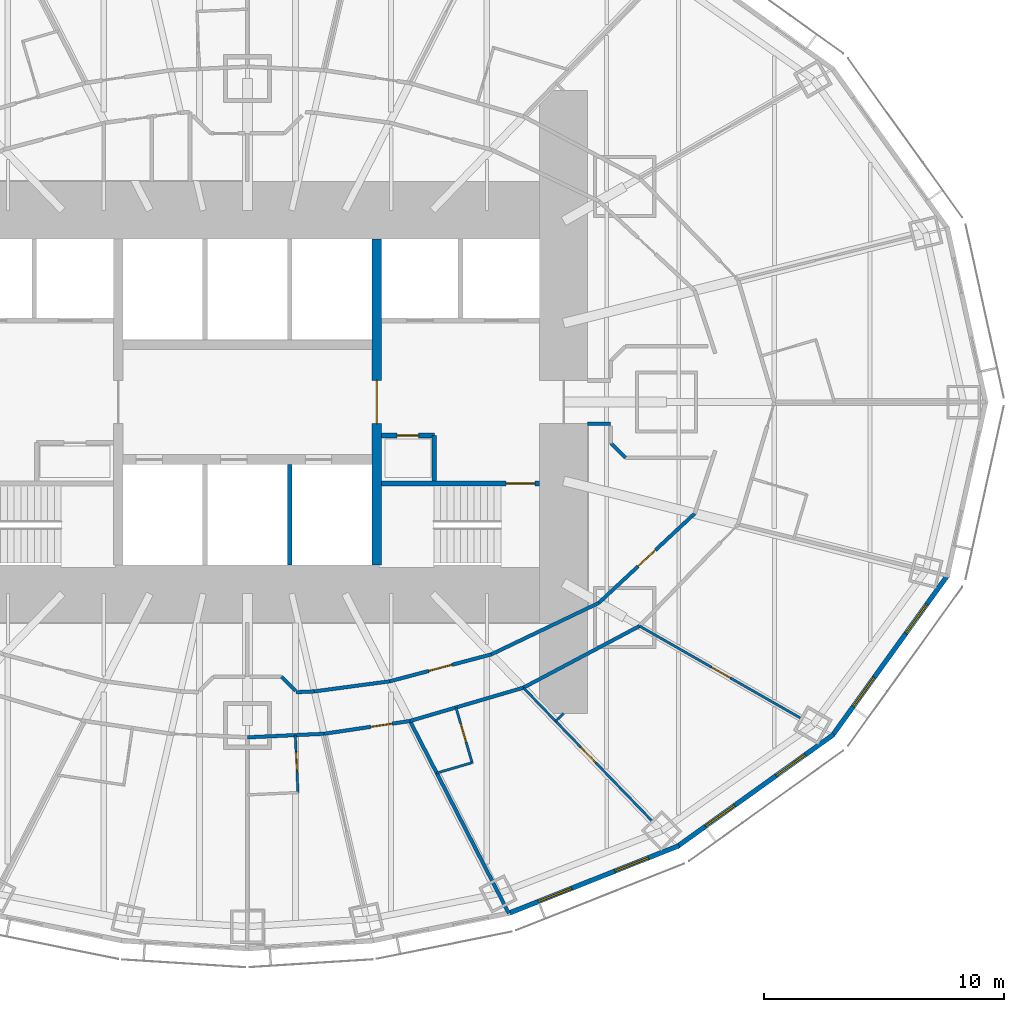
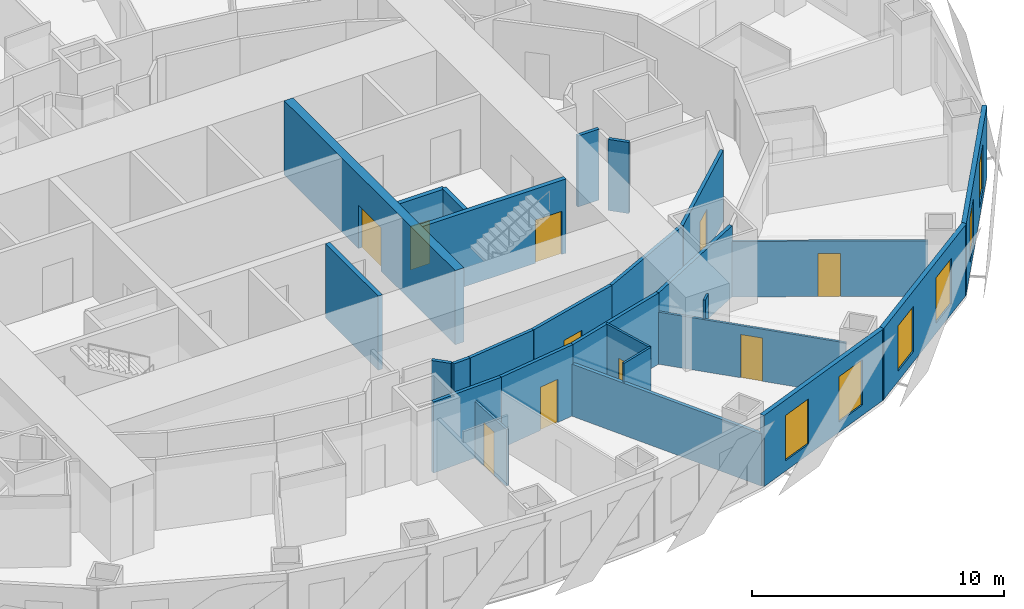
# One storey, part 7 of 15: 27 walls, 10 doors, 6 windows, 16 openings.
"""IFC4 building model written with IfcOpenShell, lengths in metres."""

from ifc_helpers import new_model, si_unit, direction, frame, frame_2d, origin, place, context, subcontext, project, spatial, rectangle, extrude, material, layer, layer_set, type_object, element, fill, save


model = new_model("IFC4")

# Units and contexts
model_context = context("Model", 3, precision=1e-05, world=origin(), true_north=direction((0.0, 1.0)))
body_context = subcontext(model_context, "Body", "Model", "MODEL_VIEW")
ifc_project = project(units=[si_unit("LENGTHUNIT", "METRE"), si_unit("AREAUNIT", "SQUARE_METRE"), si_unit("VOLUMEUNIT", "CUBIC_METRE"), si_unit("PLANEANGLEUNIT", "RADIAN"), si_unit("MASSUNIT", "GRAM", prefix="KILO")], contexts=[model_context])

# Site, building, storey
site_placement = place(None, origin())
site = spatial("IfcSite", under=ifc_project, at=site_placement, CompositionType="ELEMENT")
building_placement = place(site_placement, origin())
building = spatial("IfcBuilding", under=site, at=building_placement, Name="Lantaw Convention Tower", CompositionType="ELEMENT")
storey_placement = place(building_placement, frame((0.0, 0.0, 76.60009765625)))
storey = spatial("IfcBuildingStorey", under=building, at=storey_placement, Name="L17", CompositionType="ELEMENT", Elevation=76.60009765625)

# Wall, opening, door
ifc_material_1 = material(Name="Moisture resistant gypsum board on steel studs", Category="steel")
ifc_layer_1 = layer(ifc_material_1, 0.10009765625)
ifc_layer_set_1 = layer_set([ifc_layer_1], Name="Bathroom wall 100")
wall_type_1 = type_object("IfcWallType", Name="Bathroom wall 100", PredefinedType="PARTITIONING", material=ifc_layer_set_1)
wall_1_placement = place(storey_placement, frame((1.997802734375, -13.9072265625, 0.0), z_axis=(0.0, 0.0, 1.0), x_axis=(0.046492089498, -0.998918658157, 0.0)))
wall_1 = element("IfcWall", 1, at=wall_1_placement, inside=storey, type_object=wall_type_1, Name="Bathroom wall 100", PredefinedType="PARTITIONING", context=body_context, shape_type="SweptSolid", body=[
    extrude(rectangle(XDim=2.39990234375, YDim=0.10009765625, at=frame_2d((1.199951171875, 0.0))), origin(), (0.0, 0.0, 1.0), 2.748779296875),
])
opening_1_placement = place(wall_1_placement, frame((0.699951171875, 0.0, 0.0)))
opening_1 = element("IfcOpeningElement", 2, at=opening_1_placement, cuts=wall_1, Name="Opening L17.47", PredefinedType="OPENING", context=body_context, shape_type="SweptSolid", body=[
    extrude(rectangle(XDim=0.800048828125, YDim=2.10009765625, at=frame_2d((0.39990234375, 1.050048828125))), frame((0.0, 0.06005859375, 0.0), z_axis=(0.0, -1.0, 0.0), x_axis=(1.0, 0.0, 0.0)), (0.0, 0.0, 1.0), 0.1201171875),
])
ifc_material_2 = material(Name="Timber", Category="wood")
door_type_1 = type_object("IfcDoorType", Name="Bathroom door 800", OperationType="SINGLE_SWING_LEFT", PredefinedType="DOOR", material=ifc_material_2)
door_1_placement = place(opening_1_placement, origin())
door_1 = element("IfcDoor", 3, at=door_1_placement, inside=storey, type_object=door_type_1, Name="Bathroom door", OperationType="SINGLE_SWING_LEFT", OverallHeight=2.10009765625, OverallWidth=0.800048828125, PredefinedType="DOOR", context=body_context, shape_type="SweptSolid", body=[
    extrude(rectangle(XDim=0.800048828125, YDim=2.10009765625, at=frame_2d((0.39990234375, 1.050048828125))), frame((0.0, 0.02490234375, 0.0), z_axis=(0.0, -1.0, 0.0), x_axis=(1.0, 0.0, 0.0)), (0.0, 0.0, 1.0), 0.050048828125),
])
fill(opening_1, door_1)

wall_2_placement = place(storey_placement, frame((8.70458984375, -12.75390625, 0.0), z_axis=(0.0, 0.0, 1.0), x_axis=(0.281659633817, -0.959514382736, 0.0)))
wall_2 = element("IfcWall", 4, at=wall_2_placement, inside=storey, type_object=wall_type_1, Name="Bathroom wall 100", PredefinedType="PARTITIONING", context=body_context, shape_type="SweptSolid", body=[
    extrude(rectangle(XDim=2.400146484375, YDim=0.10009765625, at=frame_2d((1.2001953125, 0.0))), origin(), (0.0, 0.0, 1.0), 3.449951171875),
])
opening_2_placement = place(wall_2_placement, frame((0.699951171875, 0.0, 0.0)))
opening_2 = element("IfcOpeningElement", 5, at=opening_2_placement, cuts=wall_2, Name="Opening L17.50", PredefinedType="OPENING", context=body_context, shape_type="SweptSolid", body=[
    extrude(rectangle(XDim=0.800048828125, YDim=2.10009765625, at=frame_2d((0.39990234375, 1.050048828125))), frame((0.0, 0.06005859375, 0.0), z_axis=(0.0, -1.0, 0.0), x_axis=(1.0, 0.0, 0.0)), (0.0, 0.0, 1.0), 0.1201171875),
])
door_2_placement = place(opening_2_placement, origin())
door_2 = element("IfcDoor", 6, at=door_2_placement, inside=storey, type_object=door_type_1, Name="Bathroom door", OperationType="SINGLE_SWING_LEFT", OverallHeight=2.10009765625, OverallWidth=0.800048828125, PredefinedType="DOOR", context=body_context, shape_type="SweptSolid", body=[
    extrude(rectangle(XDim=0.800048828125, YDim=2.10009765625, at=frame_2d((0.39990234375, 1.050048828125))), frame((0.0, 0.02490234375, 0.0), z_axis=(0.0, -1.0, 0.0), x_axis=(1.0, 0.0, 0.0)), (0.0, 0.0, 1.0), 0.050048828125),
])
fill(opening_2, door_2)

# Wall
wall_3_placement = place(storey_placement, frame((9.380615234375, -15.056884765625, 0.0), z_axis=(0.0, 0.0, 1.0), x_axis=(-0.959518451093, -0.281645773999, 0.0)))
element("IfcWall", 7, at=wall_3_placement, inside=storey, type_object=wall_type_1, Name="Bathroom wall 100", PredefinedType="PARTITIONING", context=body_context, shape_type="SweptSolid", body=[
    extrude(rectangle(XDim=1.549072265625, YDim=0.10009765625, at=frame_2d((0.7744140625, 0.0))), origin(), (0.0, 0.0, 1.0), 3.449951171875),
])

# Wall, opening, door
ifc_material_3 = material(Name="Concrete C60/75", Category="concrete")
ifc_layer_2 = layer(ifc_material_3, 0.199951171875)
ifc_layer_set_2 = layer_set([ifc_layer_2], Name="Core wall 200")
wall_type_2 = type_object("IfcWallType", Name="Core wall 200", PredefinedType="SHEAR", material=ifc_layer_set_2)
wall_4_placement = place(storey_placement, frame((5.60009765625, -3.39990234375, 0.0), z_axis=(0.0, 0.0, 1.0), x_axis=(1.0, 0.0, 0.0)))
wall_4 = element("IfcWall", 8, at=wall_4_placement, inside=storey, type_object=wall_type_2, Name="Core wall ES", PredefinedType="SHEAR", context=body_context, shape_type="SweptSolid", body=[
    extrude(rectangle(XDim=6.599853515625, YDim=0.199951171875, at=frame_2d((3.2998046875, 0.0))), origin(), (0.0, 0.0, 1.0), 3.599853515625),
])
opening_3_placement = place(wall_4_placement, frame((5.199951171875, 0.0, 0.0)))
opening_3 = element("IfcOpeningElement", 9, at=opening_3_placement, cuts=wall_4, Name="Opening L17.05", PredefinedType="OPENING", context=body_context, shape_type="SweptSolid", body=[
    extrude(rectangle(XDim=1.199951171875, YDim=2.10009765625, at=frame_2d((0.60009765625, 1.050048828125))), frame((0.0, 0.10986328125, 0.0), z_axis=(0.0, -1.0, 0.0), x_axis=(1.0, 0.0, 0.0)), (0.0, 0.0, 1.0), 0.219970703125),
])
ifc_material_4 = material(Name="Steel, fire rated", Category="steel")
door_type_2 = type_object("IfcDoorType", Name="Stair door FD90", OperationType="SINGLE_SWING_RIGHT", PredefinedType="DOOR", material=ifc_material_4)
door_3_placement = place(opening_3_placement, origin())
door_3 = element("IfcDoor", 10, at=door_3_placement, inside=storey, type_object=door_type_2, Name="Exit stair door", OperationType="SINGLE_SWING_RIGHT", OverallHeight=2.10009765625, OverallWidth=1.199951171875, PredefinedType="DOOR", context=body_context, shape_type="SweptSolid", body=[
    extrude(rectangle(XDim=1.199951171875, YDim=2.10009765625, at=frame_2d((0.60009765625, 1.050048828125))), frame((0.0, 0.02490234375, 0.0), z_axis=(0.0, -1.0, 0.0), x_axis=(1.0, 0.0, 0.0)), (0.0, 0.0, 1.0), 0.050048828125),
])
fill(opening_3, door_3)

ifc_layer_3 = layer(ifc_material_3, 0.39990234375)
ifc_layer_set_3 = layer_set([ifc_layer_3], Name="Core wall 400")
wall_type_3 = type_object("IfcWallType", Name="Core wall 400", PredefinedType="SHEAR", material=ifc_layer_set_3)
wall_5_placement = place(storey_placement, frame((5.39990234375, -6.800048828125, 0.0), z_axis=(0.0, 0.0, 1.0), x_axis=(0.0, 1.0, 0.0)))
wall_5 = element("IfcWall", 11, at=wall_5_placement, inside=storey, type_object=wall_type_3, Name="Core wall XE", PredefinedType="SHEAR", context=body_context, shape_type="SweptSolid", body=[
    extrude(rectangle(XDim=13.60009765625, YDim=0.39990234375, at=frame_2d((6.800048828125, 0.0))), origin(), (0.0, 0.0, 1.0), 3.599853515625),
])
opening_4_placement = place(wall_5_placement, frame((5.89990234375, 0.0, 0.0)))
opening_4 = element("IfcOpeningElement", 12, at=opening_4_placement, cuts=wall_5, Name="Opening L17.03", PredefinedType="OPENING", context=body_context, shape_type="SweptSolid", body=[
    extrude(rectangle(XDim=1.800048828125, YDim=2.10009765625, at=frame_2d((0.89990234375, 1.050048828125))), frame((0.0, 0.2099609375, 0.0), z_axis=(0.0, -1.0, 0.0), x_axis=(1.0, 0.0, 0.0)), (0.0, 0.0, 1.0), 0.419921875),
])
door_type_3 = type_object("IfcDoorType", Name="Lobby double door FD90", OperationType="DOUBLE_DOOR_DOUBLE_SWING", PredefinedType="DOOR", material=ifc_material_4)
door_4_placement = place(opening_4_placement, origin())
door_4 = element("IfcDoor", 13, at=door_4_placement, inside=storey, type_object=door_type_3, Name="Lift lobby door", OperationType="DOUBLE_DOOR_DOUBLE_SWING", OverallHeight=2.10009765625, OverallWidth=1.800048828125, PredefinedType="DOOR", context=body_context, shape_type="SweptSolid", body=[
    extrude(rectangle(XDim=1.800048828125, YDim=2.10009765625, at=frame_2d((0.89990234375, 1.050048828125))), frame((0.0, 0.02490234375, 0.0), z_axis=(0.0, -1.0, 0.0), x_axis=(1.0, 0.0, 0.0)), (0.0, 0.0, 1.0), 0.050048828125),
])
fill(opening_4, door_4)

# Wall
ifc_material_5 = material(Name="Gypsum board on steel studs, fire rated", Category="steel")
ifc_layer_4 = layer(ifc_material_5, 0.14990234375)
ifc_layer_set_4 = layer_set([ifc_layer_4], Name="Corridor wall 150 EI 60")
wall_type_4 = type_object("IfcWallType", Name="Corridor wall 150 EI 60", PredefinedType="PARTITIONING", material=ifc_layer_set_4)
wall_6_placement = place(storey_placement, frame((0.0, -14.0, 0.0), z_axis=(0.0, 0.0, 1.0), x_axis=(0.998920826789, 0.046445471333, 0.0)))
element("IfcWall", 14, at=wall_6_placement, inside=storey, type_object=wall_type_4, Name="Corridor wall 150", PredefinedType="PARTITIONING", context=body_context, shape_type="SweptSolid", body=[
    extrude(rectangle(XDim=3.201171875, YDim=0.14990234375, at=frame_2d((1.6005859375, 0.0))), origin(), (0.0, 0.0, 1.0), 3.449951171875),
])

# Wall, opening, door
wall_7_placement = place(storey_placement, frame((3.19775390625, -13.851318359375, 0.0), z_axis=(0.0, 0.0, 1.0), x_axis=(0.989107488999, 0.14719502439, 0.0)))
wall_7 = element("IfcWall", 15, at=wall_7_placement, inside=storey, type_object=wall_type_4, Name="Corridor wall 150", PredefinedType="PARTITIONING", context=body_context, shape_type="SweptSolid", body=[
    extrude(rectangle(XDim=3.62744140625, YDim=0.14990234375, at=frame_2d((1.813720703125, 0.0))), origin(), (0.0, 0.0, 1.0), 3.449951171875),
])
opening_5_placement = place(wall_7_placement, frame((1.970458984375, 0.0, 0.0)))
opening_5 = element("IfcOpeningElement", 16, at=opening_5_placement, cuts=wall_7, Name="Opening L17.49", PredefinedType="OPENING", context=body_context, shape_type="SweptSolid", body=[
    extrude(rectangle(XDim=0.89990234375, YDim=2.10009765625, at=frame_2d((0.449951171875, 1.050048828125))), frame((0.0, 0.0849609375, 0.0), z_axis=(0.0, -1.0, 0.0), x_axis=(1.0, 0.0, 0.0)), (0.0, 0.0, 1.0), 0.169921875),
])
door_type_4 = type_object("IfcDoorType", Name="Guest room entrance door FD30S", OperationType="SINGLE_SWING_LEFT", PredefinedType="DOOR", material=ifc_material_4)
door_5_placement = place(opening_5_placement, origin())
door_5 = element("IfcDoor", 17, at=door_5_placement, inside=storey, type_object=door_type_4, Name="Suite entrance door", OperationType="SINGLE_SWING_LEFT", OverallHeight=2.10009765625, OverallWidth=0.89990234375, PredefinedType="DOOR", context=body_context, shape_type="SweptSolid", body=[
    extrude(rectangle(XDim=0.89990234375, YDim=2.10009765625, at=frame_2d((0.449951171875, 1.050048828125))), frame((0.0, 0.02490234375, 0.0), z_axis=(0.0, -1.0, 0.0), x_axis=(1.0, 0.0, 0.0)), (0.0, 0.0, 1.0), 0.050048828125),
])
fill(opening_5, door_5)

# Walls
wall_8_placement = place(storey_placement, frame((6.78564453125, -13.3173828125, 0.0), z_axis=(0.0, 0.0, 1.0), x_axis=(0.959496227294, 0.281721475589, 0.0)))
element("IfcWall", 18, at=wall_8_placement, inside=storey, type_object=wall_type_4, Name="Corridor wall 150", PredefinedType="PARTITIONING", context=body_context, shape_type="SweptSolid", body=[
    extrude(rectangle(XDim=4.9326171875, YDim=0.14990234375, at=frame_2d((2.46630859375, 0.0))), origin(), (0.0, 0.0, 1.0), 3.449951171875),
])
wall_9_placement = place(storey_placement, frame((11.5185546875, -11.927734375, 0.0), z_axis=(0.0, 0.0, 1.0), x_axis=(0.883334368785, 0.468743419071, 0.0)))
element("IfcWall", 19, at=wall_9_placement, inside=storey, type_object=wall_type_4, Name="Corridor wall 150", PredefinedType="PARTITIONING", context=body_context, shape_type="SweptSolid", body=[
    extrude(rectangle(XDim=5.4912109375, YDim=0.14990234375, at=frame_2d((2.74560546875, 0.0))), origin(), (0.0, 0.0, 1.0), 3.449951171875),
])
wall_10_placement = place(storey_placement, frame((2.78955078125, -12.0830078125, 0.0), z_axis=(0.0, 0.0, 1.0), x_axis=(0.991129053928, 0.13290296633, 0.0)))
element("IfcWall", 20, at=wall_10_placement, inside=storey, type_object=wall_type_4, Name="Corridor wall 150", PredefinedType="PARTITIONING", context=body_context, shape_type="SweptSolid", body=[
    extrude(rectangle(XDim=3.179931640625, YDim=0.14990234375, at=frame_2d((1.58984375, 0.0))), origin(), (0.0, 0.0, 1.0), 3.449951171875),
])

# Wall, opening, door
wall_11_placement = place(storey_placement, frame((5.941162109375, -11.660400390625, 0.0), z_axis=(0.0, 0.0, 1.0), x_axis=(0.966672790407, 0.256015070428, 0.0)))
wall_11 = element("IfcWall", 21, at=wall_11_placement, inside=storey, type_object=wall_type_4, Name="Corridor wall 150", PredefinedType="PARTITIONING", context=body_context, shape_type="SweptSolid", body=[
    extrude(rectangle(XDim=4.3818359375, YDim=0.14990234375, at=frame_2d((2.19091796875, 0.0))), origin(), (0.0, 0.0, 1.0), 3.449951171875),
])
opening_6_placement = place(wall_11_placement, frame((1.69091796875, 0.0, 0.0)))
opening_6 = element("IfcOpeningElement", 22, at=opening_6_placement, cuts=wall_11, Name="Opening L17.26", PredefinedType="OPENING", context=body_context, shape_type="SweptSolid", body=[
    extrude(rectangle(XDim=1.0, YDim=2.10009765625, at=frame_2d((0.5, 1.050048828125))), frame((0.0, 0.0849609375, 0.0), z_axis=(0.0, -1.0, 0.0), x_axis=(1.0, 0.0, 0.0)), (0.0, 0.0, 1.0), 0.169921875),
])
door_type_5 = type_object("IfcDoorType", Name="Service door 1000 FD30", OperationType="SINGLE_SWING_LEFT", PredefinedType="DOOR", material=ifc_material_4)
door_6_placement = place(opening_6_placement, origin())
door_6 = element("IfcDoor", 23, at=door_6_placement, inside=storey, type_object=door_type_5, Name="Room service pantry door", OperationType="SINGLE_SWING_LEFT", OverallHeight=2.10009765625, OverallWidth=1.0, PredefinedType="DOOR", context=body_context, shape_type="SweptSolid", body=[
    extrude(rectangle(XDim=1.0, YDim=2.10009765625, at=frame_2d((0.5, 1.050048828125))), frame((0.0, 0.02490234375, 0.0), z_axis=(0.0, -1.0, 0.0), x_axis=(1.0, 0.0, 0.0)), (0.0, 0.0, 1.0), 0.050048828125),
])
fill(opening_6, door_6)

# Wall
wall_12_placement = place(storey_placement, frame((10.177001953125, -10.53857421875, 0.0), z_axis=(0.0, 0.0, 1.0), x_axis=(0.901869692799, 0.43200816799, 0.0)))
element("IfcWall", 24, at=wall_12_placement, inside=storey, type_object=wall_type_4, Name="Corridor wall 150", PredefinedType="PARTITIONING", context=body_context, shape_type="SweptSolid", body=[
    extrude(rectangle(XDim=4.985595703125, YDim=0.14990234375, at=frame_2d((2.49267578125, 0.0))), origin(), (0.0, 0.0, 1.0), 3.449951171875),
])

# Wall, opening, door
wall_13_placement = place(storey_placement, frame((14.67333984375, -8.384765625, 0.0), z_axis=(0.0, 0.0, 1.0), x_axis=(0.731260145007, 0.682098673452, 0.0)))
wall_13 = element("IfcWall", 25, at=wall_13_placement, inside=storey, type_object=wall_type_4, Name="Corridor wall 150", PredefinedType="PARTITIONING", context=body_context, shape_type="SweptSolid", body=[
    extrude(rectangle(XDim=5.4677734375, YDim=0.14990234375, at=frame_2d((2.73388671875, 0.0))), origin(), (0.0, 0.0, 1.0), 3.449951171875),
])
opening_7_placement = place(wall_13_placement, frame((2.23388671875, 0.0, 0.0)))
opening_7 = element("IfcOpeningElement", 26, at=opening_7_placement, cuts=wall_13, Name="Opening L17.25", PredefinedType="OPENING", context=body_context, shape_type="SweptSolid", body=[
    extrude(rectangle(XDim=1.0, YDim=2.10009765625, at=frame_2d((0.5, 1.050048828125))), frame((0.0, 0.0849609375, 0.0), z_axis=(0.0, -1.0, 0.0), x_axis=(1.0, 0.0, 0.0)), (0.0, 0.0, 1.0), 0.169921875),
])
door_7_placement = place(opening_7_placement, origin())
door_7 = element("IfcDoor", 27, at=door_7_placement, inside=storey, type_object=door_type_5, Name="Room service pantry door", OperationType="SINGLE_SWING_LEFT", OverallHeight=2.10009765625, OverallWidth=1.0, PredefinedType="DOOR", context=body_context, shape_type="SweptSolid", body=[
    extrude(rectangle(XDim=1.0, YDim=2.10009765625, at=frame_2d((0.5, 1.050048828125))), frame((0.0, 0.02490234375, 0.0), z_axis=(0.0, -1.0, 0.0), x_axis=(1.0, 0.0, 0.0)), (0.0, 0.0, 1.0), 0.050048828125),
])
fill(opening_7, door_7)

# Walls
wall_14_placement = place(storey_placement, frame((2.034912109375, -12.11474609375, 0.0), z_axis=(0.0, 0.0, 1.0), x_axis=(0.999116751279, 0.042020439232, 0.0)))
element("IfcWall", 28, at=wall_14_placement, inside=storey, type_object=wall_type_4, Name="Corridor wall 150", PredefinedType="PARTITIONING", context=body_context, shape_type="SweptSolid", body=[
    extrude(rectangle(XDim=0.75537109375, YDim=0.14990234375, at=frame_2d((0.377685546875, 0.0))), origin(), (0.0, 0.0, 1.0), 3.449951171875),
])
wall_15_placement = place(storey_placement, frame((1.424560546875, -11.47509765625, 0.0), z_axis=(0.0, 0.0, 1.0), x_axis=(0.707256164678, -0.706957366129, 0.0)))
element("IfcWall", 29, at=wall_15_placement, inside=storey, type_object=wall_type_4, Name="Corridor wall 150", PredefinedType="PARTITIONING", context=body_context, shape_type="SweptSolid", body=[
    extrude(rectangle(XDim=0.817138671875, YDim=0.14990234375, at=frame_2d((0.40869140625, 0.0))), origin(), (0.0, 0.0, 1.0), 3.449951171875),
])
wall_16_placement = place(storey_placement, frame((14.199951171875, -0.89990234375, 0.0), z_axis=(0.0, 0.0, 1.0), x_axis=(1.0, 0.0, 0.0)))
element("IfcWall", 30, at=wall_16_placement, inside=storey, type_object=wall_type_4, Name="Corridor wall 150", PredefinedType="PARTITIONING", context=body_context, shape_type="SweptSolid", body=[
    extrude(rectangle(XDim=0.965087890625, YDim=0.14990234375, at=frame_2d((0.482421875, 0.0))), origin(), (0.0, 0.0, 1.0), 3.449951171875),
])
wall_17_placement = place(storey_placement, frame((15.775390625, -2.324951171875, 0.0), z_axis=(0.0, 0.0, 1.0), x_axis=(-0.707106781187, 0.707106781187, 0.0)))
element("IfcWall", 31, at=wall_17_placement, inside=storey, type_object=wall_type_4, Name="Corridor wall 150", PredefinedType="PARTITIONING", context=body_context, shape_type="SweptSolid", body=[
    extrude(rectangle(XDim=0.84912109375, YDim=0.14990234375, at=frame_2d((0.424560546875, 0.0))), origin(), (0.0, 0.0, 1.0), 3.449951171875),
])

# Wall, openings, windows
ifc_material_6 = material(Name="Insulated aluminium panel on steel frame", Category="steel")
ifc_layer_5 = layer(ifc_material_6, 0.199951171875)
ifc_layer_set_5 = layer_set([ifc_layer_5], Name="External wall 200")
wall_type_5 = type_object("IfcWallType", Name="External wall 200", PredefinedType="SOLIDWALL", material=ifc_layer_set_5)
wall_18_placement = place(storey_placement, frame((10.869384765625, -21.362548828125, 0.0), z_axis=(0.0, 0.0, 1.0), x_axis=(0.929358351251, 0.369178892895, 0.0)))
wall_18 = element("IfcWall", 32, at=wall_18_placement, inside=storey, type_object=wall_type_5, Name="Facade panel wall", PredefinedType="SOLIDWALL", context=body_context, shape_type="SweptSolid", body=[
    extrude(rectangle(XDim=7.6923828125, YDim=0.199951171875, at=frame_2d((3.84619140625, 0.0))), origin(), (0.0, 0.0, 1.0), 3.449951171875),
])
opening_8_placement = place(wall_18_placement, frame((1.373046875, 0.0, 0.5)))
opening_8 = element("IfcOpeningElement", 33, at=opening_8_placement, cuts=wall_18, Name="Opening W2", PredefinedType="OPENING", context=body_context, shape_type="SweptSolid", body=[
    extrude(rectangle(XDim=1.5, YDim=2.199951171875, at=frame_2d((0.75, 1.10009765625))), frame((0.0, 0.10986328125, 0.0), z_axis=(0.0, -1.0, 0.0), x_axis=(1.0, 0.0, 0.0)), (0.0, 0.0, 1.0), 0.219970703125),
])
opening_9_placement = place(wall_18_placement, frame((4.819091796875, 0.0, 0.5)))
opening_9 = element("IfcOpeningElement", 34, at=opening_9_placement, cuts=wall_18, Name="Opening W2", PredefinedType="OPENING", context=body_context, shape_type="SweptSolid", body=[
    extrude(rectangle(XDim=1.5, YDim=2.199951171875, at=frame_2d((0.75, 1.10009765625))), frame((0.0, 0.10986328125, 0.0), z_axis=(0.0, -1.0, 0.0), x_axis=(1.0, 0.0, 0.0)), (0.0, 0.0, 1.0), 0.219970703125),
])
ifc_material_7 = material(Name="Aluminium frame, clear insulating glass", Category="aluminium")
window_type = type_object("IfcWindowType", Name="Suite window 1500x2200", PartitioningType="SINGLE_PANEL", PredefinedType="WINDOW", material=ifc_material_7)
window_1_placement = place(opening_8_placement, origin())
window_1 = element("IfcWindow", 35, at=window_1_placement, inside=storey, type_object=window_type, Name="Guest room window", OverallHeight=2.199951171875, OverallWidth=1.5, PartitioningType="SINGLE_PANEL", PredefinedType="WINDOW", context=body_context, shape_type="SweptSolid", body=[
    extrude(rectangle(XDim=1.5, YDim=2.199951171875, at=frame_2d((0.75, 1.10009765625))), frame((0.0, 0.030029296875, 0.0), z_axis=(0.0, -1.0, 0.0), x_axis=(1.0, 0.0, 0.0)), (0.0, 0.0, 1.0), 0.06005859375),
])
fill(opening_8, window_1)
window_2_placement = place(opening_9_placement, origin())
window_2 = element("IfcWindow", 36, at=window_2_placement, inside=storey, type_object=window_type, Name="Guest room window", OverallHeight=2.199951171875, OverallWidth=1.5, PartitioningType="SINGLE_PANEL", PredefinedType="WINDOW", context=body_context, shape_type="SweptSolid", body=[
    extrude(rectangle(XDim=1.5, YDim=2.199951171875, at=frame_2d((0.75, 1.10009765625))), frame((0.0, 0.030029296875, 0.0), z_axis=(0.0, -1.0, 0.0), x_axis=(1.0, 0.0, 0.0)), (0.0, 0.0, 1.0), 0.06005859375),
])
fill(opening_9, window_2)

wall_19_placement = place(storey_placement, frame((17.9287109375, -18.57177734375, 0.0), z_axis=(0.0, 0.0, 1.0), x_axis=(0.812791321576, 0.582554948112, 0.0)))
wall_19 = element("IfcWall", 37, at=wall_19_placement, inside=storey, type_object=wall_type_5, Name="Facade panel wall", PredefinedType="SOLIDWALL", context=body_context, shape_type="SweptSolid", body=[
    extrude(rectangle(XDim=8.063232421875, YDim=0.199951171875, at=frame_2d((4.03173828125, 0.0))), origin(), (0.0, 0.0, 1.0), 3.449951171875),
])
opening_10_placement = place(wall_19_placement, frame((1.4658203125, 0.0, 0.5)))
opening_10 = element("IfcOpeningElement", 38, at=opening_10_placement, cuts=wall_19, Name="Opening W2", PredefinedType="OPENING", context=body_context, shape_type="SweptSolid", body=[
    extrude(rectangle(XDim=1.5, YDim=2.199951171875, at=frame_2d((0.75, 1.10009765625))), frame((0.0, 0.10986328125, 0.0), z_axis=(0.0, -1.0, 0.0), x_axis=(1.0, 0.0, 0.0)), (0.0, 0.0, 1.0), 0.219970703125),
])
opening_11_placement = place(wall_19_placement, frame((5.097412109375, 0.0, 0.5)))
opening_11 = element("IfcOpeningElement", 39, at=opening_11_placement, cuts=wall_19, Name="Opening W2", PredefinedType="OPENING", context=body_context, shape_type="SweptSolid", body=[
    extrude(rectangle(XDim=1.5, YDim=2.199951171875, at=frame_2d((0.75, 1.10009765625))), frame((0.0, 0.10986328125, 0.0), z_axis=(0.0, -1.0, 0.0), x_axis=(1.0, 0.0, 0.0)), (0.0, 0.0, 1.0), 0.219970703125),
])
window_3_placement = place(opening_10_placement, origin())
window_3 = element("IfcWindow", 40, at=window_3_placement, inside=storey, type_object=window_type, Name="Guest room window", OverallHeight=2.199951171875, OverallWidth=1.5, PartitioningType="SINGLE_PANEL", PredefinedType="WINDOW", context=body_context, shape_type="SweptSolid", body=[
    extrude(rectangle(XDim=1.5, YDim=2.199951171875, at=frame_2d((0.75, 1.10009765625))), frame((0.0, 0.030029296875, 0.0), z_axis=(0.0, -1.0, 0.0), x_axis=(1.0, 0.0, 0.0)), (0.0, 0.0, 1.0), 0.06005859375),
])
fill(opening_10, window_3)
window_4_placement = place(opening_11_placement, origin())
window_4 = element("IfcWindow", 41, at=window_4_placement, inside=storey, type_object=window_type, Name="Guest room window", OverallHeight=2.199951171875, OverallWidth=1.5, PartitioningType="SINGLE_PANEL", PredefinedType="WINDOW", context=body_context, shape_type="SweptSolid", body=[
    extrude(rectangle(XDim=1.5, YDim=2.199951171875, at=frame_2d((0.75, 1.10009765625))), frame((0.0, 0.030029296875, 0.0), z_axis=(0.0, -1.0, 0.0), x_axis=(1.0, 0.0, 0.0)), (0.0, 0.0, 1.0), 0.06005859375),
])
fill(opening_11, window_4)

wall_20_placement = place(storey_placement, frame((24.400390625, -13.95654296875, 0.0), z_axis=(0.0, 0.0, 1.0), x_axis=(0.583937613703, 0.811798536155, 0.0)))
wall_20 = element("IfcWall", 42, at=wall_20_placement, inside=storey, type_object=wall_type_5, Name="Facade panel wall", PredefinedType="SOLIDWALL", context=body_context, shape_type="SweptSolid", body=[
    extrude(rectangle(XDim=8.322998046875, YDim=0.199951171875, at=frame_2d((4.16162109375, 0.0))), origin(), (0.0, 0.0, 1.0), 3.449951171875),
])
opening_12_placement = place(wall_20_placement, frame((1.53076171875, 0.0, 0.5)))
opening_12 = element("IfcOpeningElement", 43, at=opening_12_placement, cuts=wall_20, Name="Opening W2", PredefinedType="OPENING", context=body_context, shape_type="SweptSolid", body=[
    extrude(rectangle(XDim=1.5, YDim=2.199951171875, at=frame_2d((0.75, 1.10009765625))), frame((0.0, 0.10986328125, 0.0), z_axis=(0.0, -1.0, 0.0), x_axis=(1.0, 0.0, 0.0)), (0.0, 0.0, 1.0), 0.219970703125),
])
opening_13_placement = place(wall_20_placement, frame((5.292236328125, 0.0, 0.5)))
opening_13 = element("IfcOpeningElement", 44, at=opening_13_placement, cuts=wall_20, Name="Opening W2", PredefinedType="OPENING", context=body_context, shape_type="SweptSolid", body=[
    extrude(rectangle(XDim=1.5, YDim=2.199951171875, at=frame_2d((0.75, 1.10009765625))), frame((0.0, 0.10986328125, 0.0), z_axis=(0.0, -1.0, 0.0), x_axis=(1.0, 0.0, 0.0)), (0.0, 0.0, 1.0), 0.219970703125),
])
window_5_placement = place(opening_12_placement, origin())
window_5 = element("IfcWindow", 45, at=window_5_placement, inside=storey, type_object=window_type, Name="Guest room window", OverallHeight=2.199951171875, OverallWidth=1.5, PartitioningType="SINGLE_PANEL", PredefinedType="WINDOW", context=body_context, shape_type="SweptSolid", body=[
    extrude(rectangle(XDim=1.5, YDim=2.199951171875, at=frame_2d((0.75, 1.10009765625))), frame((0.0, 0.030029296875, 0.0), z_axis=(0.0, -1.0, 0.0), x_axis=(1.0, 0.0, 0.0)), (0.0, 0.0, 1.0), 0.06005859375),
])
fill(opening_12, window_5)
window_6_placement = place(opening_13_placement, origin())
window_6 = element("IfcWindow", 46, at=window_6_placement, inside=storey, type_object=window_type, Name="Guest room window", OverallHeight=2.199951171875, OverallWidth=1.5, PartitioningType="SINGLE_PANEL", PredefinedType="WINDOW", context=body_context, shape_type="SweptSolid", body=[
    extrude(rectangle(XDim=1.5, YDim=2.199951171875, at=frame_2d((0.75, 1.10009765625))), frame((0.0, 0.030029296875, 0.0), z_axis=(0.0, -1.0, 0.0), x_axis=(1.0, 0.0, 0.0)), (0.0, 0.0, 1.0), 0.06005859375),
])
fill(opening_13, window_6)

# Walls
ifc_material_8 = material(Name="Gypsum board on steel studs, acoustic", Category="steel")
ifc_layer_6 = layer(ifc_material_8, 0.14990234375)
ifc_layer_set_6 = layer_set([ifc_layer_6], Name="Guest room party wall 150")
wall_type_6 = type_object("IfcWallType", Name="Guest room party wall 150", PredefinedType="PARTITIONING", material=ifc_layer_set_6)
wall_21_placement = place(storey_placement, frame((10.911865234375, -21.345703125, 0.0), z_axis=(0.0, 0.0, 1.0), x_axis=(-0.457117602022, 0.889406261458, 0.0)))
element("IfcWall", 47, at=wall_21_placement, inside=storey, type_object=wall_type_6, Name="Guest room party wall 150", PredefinedType="PARTITIONING", context=body_context, shape_type="SweptSolid", body=[
    extrude(rectangle(XDim=9.026611328125, YDim=0.14990234375, at=frame_2d((4.51318359375, 0.0))), origin(), (0.0, 0.0, 1.0), 2.52783203125),
])
ifc_layer_7 = layer(ifc_material_8, 0.10009765625)
ifc_layer_set_7 = layer_set([ifc_layer_7], Name="Office partition 100")
wall_type_7 = type_object("IfcWallType", Name="Office partition 100", PredefinedType="PARTITIONING", material=ifc_layer_set_7)
wall_22_placement = place(storey_placement, frame((13.199951171875, -13.0, 0.0), z_axis=(0.0, 0.0, 1.0), x_axis=(-0.719347134512, -0.69465077562, 0.0)))
element("IfcWall", 48, at=wall_22_placement, inside=storey, type_object=wall_type_7, Name="Office partition 100", PredefinedType="PARTITIONING", context=body_context, shape_type="SweptSolid", body=[
    extrude(rectangle(XDim=0.464599609375, YDim=0.10009765625, at=frame_2d((0.232421875, 0.0))), origin(), (0.0, 0.0, 1.0), 3.449951171875),
])

# Wall, opening, door
ifc_material_9 = material(Name="Concrete blockwork, fire rated", Category="masonry")
ifc_layer_8 = layer(ifc_material_9, 0.199951171875)
ifc_layer_set_8 = layer_set([ifc_layer_8], Name="Plant room wall 200 EI 120")
wall_type_8 = type_object("IfcWallType", Name="Plant room wall 200 EI 120", PredefinedType="SOLIDWALL", material=ifc_layer_set_8)
wall_23_placement = place(storey_placement, frame((5.60009765625, -1.39990234375, 0.0), z_axis=(0.0, 0.0, 1.0), x_axis=(1.0, 0.0, 0.0)))
wall_23 = element("IfcWall", 49, at=wall_23_placement, inside=storey, type_object=wall_type_8, Name="Plant room wall 200", PredefinedType="SOLIDWALL", context=body_context, shape_type="SweptSolid", body=[
    extrude(rectangle(XDim=2.199951171875, YDim=0.199951171875, at=frame_2d((1.10009765625, 0.0))), origin(), (0.0, 0.0, 1.0), 3.449951171875),
])
opening_14_placement = place(wall_23_placement, frame((0.64990234375, 0.0, 0.0)))
opening_14 = element("IfcOpeningElement", 50, at=opening_14_placement, cuts=wall_23, Name="Opening L17.02", PredefinedType="OPENING", context=body_context, shape_type="SweptSolid", body=[
    extrude(rectangle(XDim=0.89990234375, YDim=2.10009765625, at=frame_2d((0.449951171875, 1.050048828125))), frame((0.0, 0.10986328125, 0.0), z_axis=(0.0, -1.0, 0.0), x_axis=(1.0, 0.0, 0.0)), (0.0, 0.0, 1.0), 0.219970703125),
])
door_type_6 = type_object("IfcDoorType", Name="Service door 900 FD60", OperationType="SINGLE_SWING_LEFT", PredefinedType="DOOR", material=ifc_material_4)
door_8_placement = place(opening_14_placement, origin())
door_8 = element("IfcDoor", 51, at=door_8_placement, inside=storey, type_object=door_type_6, Name="Staff WC door", OperationType="SINGLE_SWING_LEFT", OverallHeight=2.10009765625, OverallWidth=0.89990234375, PredefinedType="DOOR", context=body_context, shape_type="SweptSolid", body=[
    extrude(rectangle(XDim=0.89990234375, YDim=2.10009765625, at=frame_2d((0.449951171875, 1.050048828125))), frame((0.0, 0.02490234375, 0.0), z_axis=(0.0, -1.0, 0.0), x_axis=(1.0, 0.0, 0.0)), (0.0, 0.0, 1.0), 0.050048828125),
])
fill(opening_14, door_8)

# Walls
wall_24_placement = place(storey_placement, frame((7.800048828125, -1.39990234375, 0.0), z_axis=(0.0, 0.0, 1.0), x_axis=(0.0, -1.0, 0.0)))
element("IfcWall", 52, at=wall_24_placement, inside=storey, type_object=wall_type_8, Name="Plant room wall 200", PredefinedType="SOLIDWALL", context=body_context, shape_type="SweptSolid", body=[
    extrude(rectangle(XDim=1.900146484375, YDim=0.199951171875, at=frame_2d((0.9501953125, 0.0))), origin(), (0.0, 0.0, 1.0), 3.449951171875),
])
ifc_layer_9 = layer(ifc_material_9, 0.199951171875)
ifc_layer_set_9 = layer_set([ifc_layer_9], Name="Shaft wall 200 load-bearing")
wall_type_9 = type_object("IfcWallType", Name="Shaft wall 200 load-bearing", PredefinedType="SOLIDWALL", material=ifc_layer_set_9)
wall_25_placement = place(storey_placement, frame((1.7666015625, -2.60009765625, 0.0), z_axis=(0.0, 0.0, 1.0), x_axis=(0.0, -1.0, 0.0)))
element("IfcWall", 53, at=wall_25_placement, inside=storey, type_object=wall_type_9, Name="Shaft wall DS2", PredefinedType="SOLIDWALL", context=body_context, shape_type="SweptSolid", body=[
    extrude(rectangle(XDim=4.199951171875, YDim=0.199951171875, at=frame_2d((2.10009765625, 0.0))), origin(), (0.0, 0.0, 1.0), 3.599853515625),
])

# Wall, opening, door
ifc_material_10 = material(Name="Gypsum board on steel studs", Category="steel")
ifc_layer_10 = layer(ifc_material_10, 0.10009765625)
ifc_layer_set_10 = layer_set([ifc_layer_10], Name="Suite partition 100")
wall_type_10 = type_object("IfcWallType", Name="Suite partition 100", PredefinedType="PARTITIONING", material=ifc_layer_set_10)
wall_26_placement = place(storey_placement, frame((16.943603515625, -17.54541015625, 0.0), z_axis=(0.0, 0.0, 1.0), x_axis=(-0.694666479492, 0.719331969448, 0.0)))
wall_26 = element("IfcWall", 54, at=wall_26_placement, inside=storey, type_object=wall_type_10, Name="Suite partition 100", PredefinedType="PARTITIONING", context=body_context, shape_type="SweptSolid", body=[
    extrude(rectangle(XDim=7.8095703125, YDim=0.10009765625, at=frame_2d((3.90478515625, 0.0))), origin(), (0.0, 0.0, 1.0), 2.52783203125),
])
opening_15_placement = place(wall_26_placement, frame((3.454833984375, 0.0, 0.0)))
opening_15 = element("IfcOpeningElement", 55, at=opening_15_placement, cuts=wall_26, Name="Opening L17.51", PredefinedType="OPENING", context=body_context, shape_type="SweptSolid", body=[
    extrude(rectangle(XDim=0.89990234375, YDim=2.10009765625, at=frame_2d((0.449951171875, 1.050048828125))), frame((0.0, 0.06005859375, 0.0), z_axis=(0.0, -1.0, 0.0), x_axis=(1.0, 0.0, 0.0)), (0.0, 0.0, 1.0), 0.1201171875),
])
door_type_7 = type_object("IfcDoorType", Name="Suite door 900", OperationType="SINGLE_SWING_LEFT", PredefinedType="DOOR", material=ifc_material_2)
door_9_placement = place(opening_15_placement, origin())
door_9 = element("IfcDoor", 56, at=door_9_placement, inside=storey, type_object=door_type_7, Name="Bedroom door", OperationType="SINGLE_SWING_LEFT", OverallHeight=2.10009765625, OverallWidth=0.89990234375, PredefinedType="DOOR", context=body_context, shape_type="SweptSolid", body=[
    extrude(rectangle(XDim=0.89990234375, YDim=2.10009765625, at=frame_2d((0.449951171875, 1.050048828125))), frame((0.0, 0.02490234375, 0.0), z_axis=(0.0, -1.0, 0.0), x_axis=(1.0, 0.0, 0.0)), (0.0, 0.0, 1.0), 0.050048828125),
])
fill(opening_15, door_9)

wall_27_placement = place(storey_placement, frame((23.1708984375, -13.240478515625, 0.0), z_axis=(0.0, 0.0, 1.0), x_axis=(-0.868243142124, 0.496138938357, 0.0)))
wall_27 = element("IfcWall", 57, at=wall_27_placement, inside=storey, type_object=wall_type_10, Name="Suite partition 100", PredefinedType="PARTITIONING", context=body_context, shape_type="SweptSolid", body=[
    extrude(rectangle(XDim=7.833984375, YDim=0.10009765625, at=frame_2d((3.9169921875, 0.0))), origin(), (0.0, 0.0, 1.0), 2.69287109375),
])
opening_16_placement = place(wall_27_placement, frame((3.467041015625, 0.0, 0.0)))
opening_16 = element("IfcOpeningElement", 58, at=opening_16_placement, cuts=wall_27, Name="Opening L17.52", PredefinedType="OPENING", context=body_context, shape_type="SweptSolid", body=[
    extrude(rectangle(XDim=0.89990234375, YDim=2.10009765625, at=frame_2d((0.449951171875, 1.050048828125))), frame((0.0, 0.06005859375, 0.0), z_axis=(0.0, -1.0, 0.0), x_axis=(1.0, 0.0, 0.0)), (0.0, 0.0, 1.0), 0.1201171875),
])
door_10_placement = place(opening_16_placement, origin())
door_10 = element("IfcDoor", 59, at=door_10_placement, inside=storey, type_object=door_type_7, Name="Kitchenette door", OperationType="SINGLE_SWING_LEFT", OverallHeight=2.10009765625, OverallWidth=0.89990234375, PredefinedType="DOOR", context=body_context, shape_type="SweptSolid", body=[
    extrude(rectangle(XDim=0.89990234375, YDim=2.10009765625, at=frame_2d((0.449951171875, 1.050048828125))), frame((0.0, 0.02490234375, 0.0), z_axis=(0.0, -1.0, 0.0), x_axis=(1.0, 0.0, 0.0)), (0.0, 0.0, 1.0), 0.050048828125),
])
fill(opening_16, door_10)

save(model, "model.ifc")
